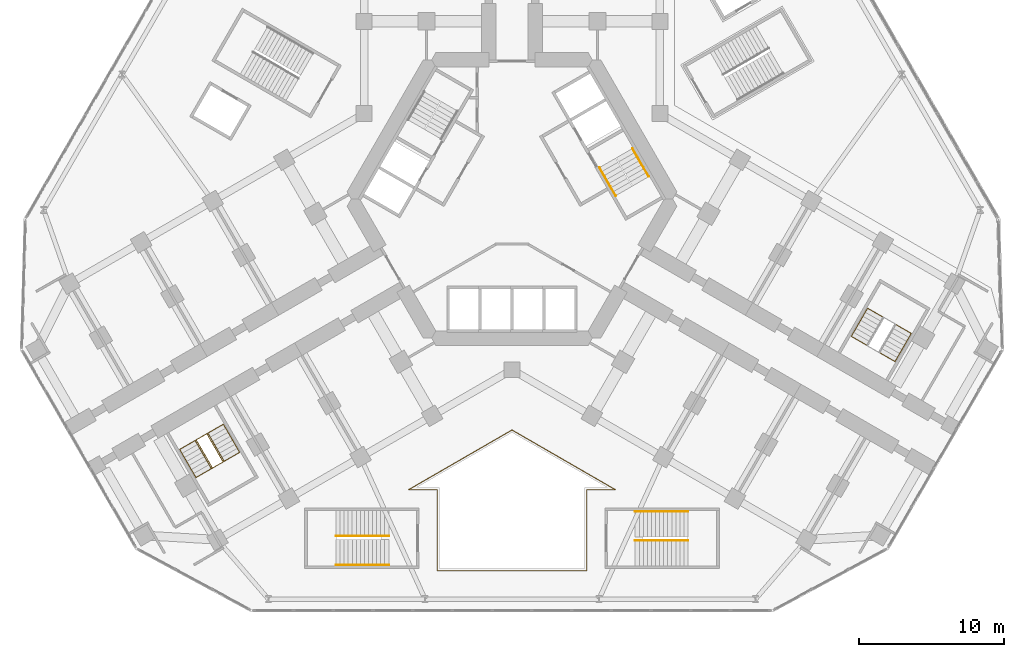
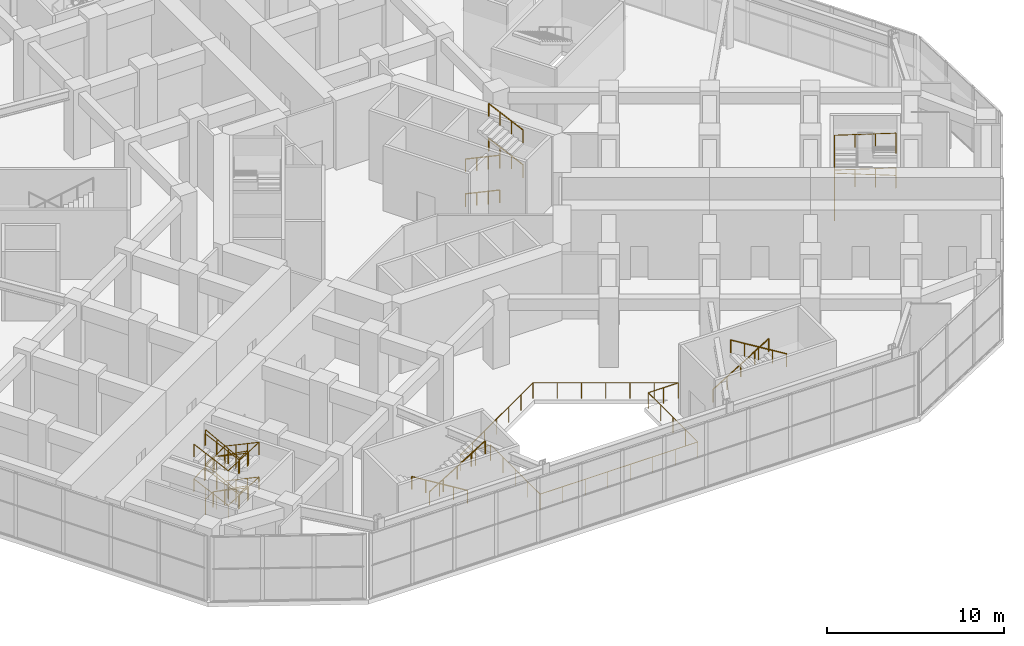
# One storey, part 20 of 21: 13 railings.
"""IFC4 building model written with IfcOpenShell, lengths in metres."""

from ifc_helpers import new_model, si_unit, direction, frame, origin, origin_2d, place, context, subcontext, project, spatial, circle, extrude, material, type_object, element, save


model = new_model("IFC4")

# Units and contexts
model_context = context("Model", 3, precision=1e-05, world=origin(), true_north=direction((0.0, 1.0)))
body_context = subcontext(model_context, "Body", "Model", "MODEL_VIEW")
ifc_project = project(units=[si_unit("LENGTHUNIT", "METRE"), si_unit("AREAUNIT", "SQUARE_METRE"), si_unit("VOLUMEUNIT", "CUBIC_METRE"), si_unit("PLANEANGLEUNIT", "RADIAN"), si_unit("MASSUNIT", "GRAM", prefix="KILO")], contexts=[model_context])

# Site, building, storey
site_placement = place(None, origin())
site = spatial("IfcSite", under=ifc_project, at=site_placement, CompositionType="ELEMENT")
building_placement = place(site_placement, origin())
building = spatial("IfcBuilding", under=site, at=building_placement, Name="Kosmar Iwan School Tower", CompositionType="ELEMENT")
storey_placement = place(building_placement, frame((0.0, 0.0, 6.0)))
storey = spatial("IfcBuildingStorey", under=building, at=storey_placement, Name="L01", CompositionType="ELEMENT", Elevation=6.0)

# Railings
ifc_material_1 = material(Name="Black steel and laminated glass", Category="steel")
railing_type_1 = type_object("IfcRailingType", Name="Atrium balustrade 1100", PredefinedType="BALUSTRADE", material=ifc_material_1)
railing_1_placement = place(storey_placement, frame((-5.14990234375, -25.64990234375, 0.0)))
element("IfcRailing", 1, at=railing_1_placement, inside=storey, type_object=railing_type_1, Name="Atrium balustrade L01", PredefinedType="BALUSTRADE", context=body_context, shape_type="SweptSolid", body=[
    extrude(circle(Radius=0.02392578125, at=origin_2d()), frame((0.0, 0.0, 1.076171875), z_axis=(1.0, 0.0, 0.0), x_axis=(0.0, 1.0, 0.0)), (0.0, 0.0, 1.0), 10.2998046875),
    extrude(circle(Radius=0.02392578125, at=origin_2d()), frame((10.2998046875, 0.0, 1.076171875), z_axis=(0.0, 1.0, 0.0), x_axis=(-1.0, 0.0, 0.0)), (0.0, 0.0, 1.0), 5.599853515625),
    extrude(circle(Radius=0.02392578125, at=origin_2d()), frame((10.2998046875, 5.599853515625, 1.076171875), z_axis=(1.0, 0.0, 0.0), x_axis=(0.0, 1.0, 0.0)), (0.0, 0.0, 1.0), 1.977783203125),
    extrude(circle(Radius=0.02392578125, at=origin_2d()), frame((12.277587890625, 5.599853515625, 1.076171875), z_axis=(-0.86602207841, 0.500005759674, 0.0), x_axis=(-0.500005759674, -0.86602207841, 0.0)), (0.0, 0.0, 1.0), 8.23046875),
    extrude(circle(Radius=0.02392578125, at=origin_2d()), frame((5.14990234375, 9.715087890625, 1.076171875), z_axis=(-0.86602207841, -0.500005759674, 0.0), x_axis=(0.500005759674, -0.86602207841, 0.0)), (0.0, 0.0, 1.0), 8.23046875),
    extrude(circle(Radius=0.02392578125, at=origin_2d()), frame((-1.977783203125, 5.599853515625, 1.076171875), z_axis=(1.0, 0.0, 0.0), x_axis=(0.0, 1.0, 0.0)), (0.0, 0.0, 1.0), 1.977783203125),
    extrude(circle(Radius=0.02392578125, at=origin_2d()), frame((0.0, 5.599853515625, 1.076171875), z_axis=(0.0, -1.0, 0.0), x_axis=(1.0, 0.0, 0.0)), (0.0, 0.0, 1.0), 5.599853515625),
    extrude(circle(Radius=0.02099609375, at=origin_2d()), origin(), (0.0, 0.0, 1.0), 1.052001953125),
    extrude(circle(Radius=0.02099609375, at=origin_2d()), frame((1.471435546875, 0.0, 0.0)), (0.0, 0.0, 1.0), 1.052001953125),
    extrude(circle(Radius=0.02099609375, at=origin_2d()), frame((2.94287109375, 0.0, 0.0)), (0.0, 0.0, 1.0), 1.052001953125),
    extrude(circle(Radius=0.02099609375, at=origin_2d()), frame((4.414306640625, 0.0, 0.0)), (0.0, 0.0, 1.0), 1.052001953125),
    extrude(circle(Radius=0.02099609375, at=origin_2d()), frame((5.885498046875, 0.0, 0.0)), (0.0, 0.0, 1.0), 1.052001953125),
    extrude(circle(Radius=0.02099609375, at=origin_2d()), frame((7.35693359375, 0.0, 0.0)), (0.0, 0.0, 1.0), 1.052001953125),
    extrude(circle(Radius=0.02099609375, at=origin_2d()), frame((8.828369140625, 0.0, 0.0)), (0.0, 0.0, 1.0), 1.052001953125),
    extrude(circle(Radius=0.02099609375, at=origin_2d()), frame((10.2998046875, 0.0, 0.0)), (0.0, 0.0, 1.0), 1.052001953125),
    extrude(circle(Radius=0.02099609375, at=origin_2d()), frame((10.2998046875, 1.39990234375, 0.0)), (0.0, 0.0, 1.0), 1.052001953125),
    extrude(circle(Radius=0.02099609375, at=origin_2d()), frame((10.2998046875, 2.7998046875, 0.0)), (0.0, 0.0, 1.0), 1.052001953125),
    extrude(circle(Radius=0.02099609375, at=origin_2d()), frame((10.2998046875, 4.199951171875, 0.0)), (0.0, 0.0, 1.0), 1.052001953125),
    extrude(circle(Radius=0.02099609375, at=origin_2d()), frame((10.2998046875, 5.599853515625, 0.0)), (0.0, 0.0, 1.0), 1.052001953125),
    extrude(circle(Radius=0.02099609375, at=origin_2d()), frame((11.28857421875, 5.599853515625, 0.0)), (0.0, 0.0, 1.0), 1.052001953125),
    extrude(circle(Radius=0.02099609375, at=origin_2d()), frame((12.277587890625, 5.599853515625, 0.0)), (0.0, 0.0, 1.0), 1.052001953125),
    extrude(circle(Radius=0.02099609375, at=origin_2d()), frame((11.089599609375, 6.28564453125, 0.0)), (0.0, 0.0, 1.0), 1.052001953125),
    extrude(circle(Radius=0.02099609375, at=origin_2d()), frame((9.901611328125, 6.9716796875, 0.0)), (0.0, 0.0, 1.0), 1.052001953125),
    extrude(circle(Radius=0.02099609375, at=origin_2d()), frame((8.7138671875, 7.657470703125, 0.0)), (0.0, 0.0, 1.0), 1.052001953125),
    extrude(circle(Radius=0.02099609375, at=origin_2d()), frame((7.52587890625, 8.34326171875, 0.0)), (0.0, 0.0, 1.0), 1.052001953125),
    extrude(circle(Radius=0.02099609375, at=origin_2d()), frame((6.337890625, 9.029296875, 0.0)), (0.0, 0.0, 1.0), 1.052001953125),
    extrude(circle(Radius=0.02099609375, at=origin_2d()), frame((5.14990234375, 9.715087890625, 0.0)), (0.0, 0.0, 1.0), 1.052001953125),
    extrude(circle(Radius=0.02099609375, at=origin_2d()), frame((3.9619140625, 9.029296875, 0.0)), (0.0, 0.0, 1.0), 1.052001953125),
    extrude(circle(Radius=0.02099609375, at=origin_2d()), frame((2.77392578125, 8.34326171875, 0.0)), (0.0, 0.0, 1.0), 1.052001953125),
    extrude(circle(Radius=0.02099609375, at=origin_2d()), frame((1.5859375, 7.657470703125, 0.0)), (0.0, 0.0, 1.0), 1.052001953125),
    extrude(circle(Radius=0.02099609375, at=origin_2d()), frame((0.398193359375, 6.9716796875, 0.0)), (0.0, 0.0, 1.0), 1.052001953125),
    extrude(circle(Radius=0.02099609375, at=origin_2d()), frame((-0.789794921875, 6.28564453125, 0.0)), (0.0, 0.0, 1.0), 1.052001953125),
    extrude(circle(Radius=0.02099609375, at=origin_2d()), frame((-1.977783203125, 5.599853515625, 0.0)), (0.0, 0.0, 1.0), 1.052001953125),
    extrude(circle(Radius=0.02099609375, at=origin_2d()), frame((-0.98876953125, 5.599853515625, 0.0)), (0.0, 0.0, 1.0), 1.052001953125),
    extrude(circle(Radius=0.02099609375, at=origin_2d()), frame((0.0, 5.599853515625, 0.0)), (0.0, 0.0, 1.0), 1.052001953125),
    extrude(circle(Radius=0.02099609375, at=origin_2d()), frame((0.0, 4.199951171875, 0.0)), (0.0, 0.0, 1.0), 1.052001953125),
    extrude(circle(Radius=0.02099609375, at=origin_2d()), frame((0.0, 2.7998046875, 0.0)), (0.0, 0.0, 1.0), 1.052001953125),
    extrude(circle(Radius=0.02099609375, at=origin_2d()), frame((0.0, 1.39990234375, 0.0)), (0.0, 0.0, 1.0), 1.052001953125),
])
ifc_material_2 = material(Name="Black steel", Category="steel")
railing_type_2 = type_object("IfcRailingType", Name="Stair handrail 900", PredefinedType="HANDRAIL", material=ifc_material_2)
railing_2_placement = place(storey_placement, frame((6.03466796875, 2.167724609375, 0.14990234375)))
element("IfcRailing", 2, at=railing_2_placement, inside=storey, type_object=railing_type_2, Name="Handrail ST1 flight 1", PredefinedType="HANDRAIL", context=body_context, shape_type="SweptSolid", body=[
    extrude(circle(Radius=0.02392578125, at=origin_2d()), frame((0.0, 0.0, 0.8759765625), z_axis=(0.45267848932, -0.784169015945, 0.424453931233), x_axis=(0.866054910533, 0.49994888933, 0.0)), (0.0, 0.0, 1.0), 2.473876953125),
    extrude(circle(Radius=0.02099609375, at=origin_2d()), origin(), (0.0, 0.0, 1.0), 0.851806640625),
    extrude(circle(Radius=0.02099609375, at=origin_2d()), frame((0.373291015625, -0.646728515625, 0.35009765625)), (0.0, 0.0, 1.0), 0.851806640625),
    extrude(circle(Radius=0.02099609375, at=origin_2d()), frame((0.74658203125, -1.293212890625, 0.699951171875)), (0.0, 0.0, 1.0), 0.851806640625),
    extrude(circle(Radius=0.02099609375, at=origin_2d()), frame((1.119873046875, -1.93994140625, 1.050048828125)), (0.0, 0.0, 1.0), 0.851806640625),
])
railing_3_placement = place(storey_placement, frame((9.432373046875, 1.542724609375, 1.35009765625)))
element("IfcRailing", 3, at=railing_3_placement, inside=storey, type_object=railing_type_2, Name="Handrail ST1 flight 2", PredefinedType="HANDRAIL", context=body_context, shape_type="SweptSolid", body=[
    extrude(circle(Radius=0.02392578125, at=origin_2d()), frame((0.0, 0.0, 0.8759765625), z_axis=(-0.452775911014, 0.784166824089, 0.424354057838), x_axis=(-0.866007717299, -0.500030632641, 0.0)), (0.0, 0.0, 1.0), 2.473876953125),
    extrude(circle(Radius=0.02099609375, at=origin_2d()), origin(), (0.0, 0.0, 1.0), 0.851806640625),
    extrude(circle(Radius=0.02099609375, at=origin_2d()), frame((-0.373291015625, 0.646728515625, 0.349853515625)), (0.0, 0.0, 1.0), 0.851806640625),
    extrude(circle(Radius=0.02099609375, at=origin_2d()), frame((-0.746826171875, 1.293212890625, 0.699951171875)), (0.0, 0.0, 1.0), 0.851806640625),
    extrude(circle(Radius=0.02099609375, at=origin_2d()), frame((-1.1201171875, 1.93994140625, 1.0498046875)), (0.0, 0.0, 1.0), 0.851806640625),
])
railing_4_placement = place(storey_placement, frame((6.03466796875, 2.167724609375, 2.550048828125)))
element("IfcRailing", 4, at=railing_4_placement, inside=storey, type_object=railing_type_2, Name="Handrail ST1 flight 3", PredefinedType="HANDRAIL", context=body_context, shape_type="SweptSolid", body=[
    extrude(circle(Radius=0.02392578125, at=origin_2d()), frame((0.0, 0.0, 0.8759765625), z_axis=(0.45267848932, -0.784169015945, 0.424453931233), x_axis=(0.866054910533, 0.49994888933, 0.0)), (0.0, 0.0, 1.0), 2.473876953125),
    extrude(circle(Radius=0.02099609375, at=origin_2d()), origin(), (0.0, 0.0, 1.0), 0.851806640625),
    extrude(circle(Radius=0.02099609375, at=origin_2d()), frame((0.373291015625, -0.646728515625, 0.35009765625)), (0.0, 0.0, 1.0), 0.851806640625),
    extrude(circle(Radius=0.02099609375, at=origin_2d()), frame((0.74658203125, -1.293212890625, 0.699951171875)), (0.0, 0.0, 1.0), 0.851806640625),
    extrude(circle(Radius=0.02099609375, at=origin_2d()), frame((1.119873046875, -1.93994140625, 1.050048828125)), (0.0, 0.0, 1.0), 0.851806640625),
])
railing_5_placement = place(storey_placement, frame((9.432373046875, 1.542724609375, 3.75)))
element("IfcRailing", 5, at=railing_5_placement, inside=storey, type_object=railing_type_2, Name="Handrail ST1 flight 4", PredefinedType="HANDRAIL", context=body_context, shape_type="SweptSolid", body=[
    extrude(circle(Radius=0.02392578125, at=origin_2d()), frame((0.0, 0.0, 0.8759765625), z_axis=(-0.452756948549, 0.784133982819, 0.424434968551), x_axis=(-0.866007717299, -0.500030632641, 0.0)), (0.0, 0.0, 1.0), 2.473876953125),
    extrude(circle(Radius=0.02099609375, at=origin_2d()), origin(), (0.0, 0.0, 1.0), 0.851806640625),
    extrude(circle(Radius=0.02099609375, at=origin_2d()), frame((-0.373291015625, 0.646728515625, 0.35009765625)), (0.0, 0.0, 1.0), 0.851806640625),
    extrude(circle(Radius=0.02099609375, at=origin_2d()), frame((-0.746826171875, 1.293212890625, 0.699951171875)), (0.0, 0.0, 1.0), 0.851806640625),
    extrude(circle(Radius=0.02099609375, at=origin_2d()), frame((-1.1201171875, 1.93994140625, 1.050048828125)), (0.0, 0.0, 1.0), 0.851806640625),
])
railing_6_placement = place(storey_placement, frame((-19.9091796875, -15.5361328125, 0.14990234375)))
element("IfcRailing", 6, at=railing_6_placement, inside=storey, type_object=railing_type_2, Name="Handrail stair WS2 L01 wall side", PredefinedType="HANDRAIL", context=body_context, shape_type="SweptSolid", body=[
    extrude(circle(Radius=0.02392578125, at=origin_2d()), frame((0.0, 0.0, 0.8759765625), z_axis=(0.45267848932, -0.784169015945, 0.424453931233), x_axis=(0.866054910533, 0.49994888933, 0.0)), (0.0, 0.0, 1.0), 2.473876953125),
    extrude(circle(Radius=0.02392578125, at=origin_2d()), frame((1.119873046875, -1.93994140625, 1.92578125), z_axis=(-0.865214702673, -0.499545138201, 0.043106532902), x_axis=(0.500009906705, -0.86601968407, 0.0)), (0.0, 0.0, 1.0), 3.483154296875),
    extrude(circle(Radius=0.02392578125, at=origin_2d()), frame((-1.893798828125, -3.679931640625, 2.076171875), z_axis=(-0.452775911014, 0.784166824089, 0.424354057838), x_axis=(-0.866007717299, -0.500030632641, 0.0)), (0.0, 0.0, 1.0), 2.473876953125),
    extrude(circle(Radius=0.02392578125, at=origin_2d()), frame((-3.013916015625, -1.739990234375, 3.1259765625), z_axis=(0.865232322426, 0.499514845033, 0.043103918857), x_axis=(-0.499979528911, 0.866037222451, 0.0)), (0.0, 0.0, 1.0), 3.4833984375),
    extrude(circle(Radius=0.02392578125, at=origin_2d()), frame((0.0, 0.0, 3.27587890625), z_axis=(0.45267848932, -0.784169015945, 0.424453931233), x_axis=(0.866054910533, 0.49994888933, 0.0)), (0.0, 0.0, 1.0), 2.473876953125),
    extrude(circle(Radius=0.02392578125, at=origin_2d()), frame((1.119873046875, -1.93994140625, 4.326171875), z_axis=(-0.865217314736, -0.499546646316, 0.043036570905), x_axis=(0.500009906705, -0.86601968407, 0.0)), (0.0, 0.0, 1.0), 3.483154296875),
    extrude(circle(Radius=0.02392578125, at=origin_2d()), frame((-1.893798828125, -3.679931640625, 4.47607421875), z_axis=(-0.452756948549, 0.784133982819, 0.424434968551), x_axis=(-0.866007717299, -0.500030632641, 0.0)), (0.0, 0.0, 1.0), 2.473876953125),
    extrude(circle(Radius=0.02099609375, at=origin_2d()), origin(), (0.0, 0.0, 1.0), 0.851806640625),
    extrude(circle(Radius=0.02099609375, at=origin_2d()), frame((0.373291015625, -0.646728515625, 0.35009765625)), (0.0, 0.0, 1.0), 0.851806640625),
    extrude(circle(Radius=0.02099609375, at=origin_2d()), frame((0.74658203125, -1.293212890625, 0.699951171875)), (0.0, 0.0, 1.0), 0.851806640625),
    extrude(circle(Radius=0.02099609375, at=origin_2d()), frame((1.119873046875, -1.93994140625, 1.050048828125)), (0.0, 0.0, 1.0), 0.851806640625),
    extrude(circle(Radius=0.02099609375, at=origin_2d()), frame((0.115234375, -2.52001953125, 1.10009765625)), (0.0, 0.0, 1.0), 0.851806640625),
    extrude(circle(Radius=0.02099609375, at=origin_2d()), frame((-0.88916015625, -3.099853515625, 1.150146484375)), (0.0, 0.0, 1.0), 0.851806640625),
    extrude(circle(Radius=0.02099609375, at=origin_2d()), frame((-1.893798828125, -3.679931640625, 1.2001953125)), (0.0, 0.0, 1.0), 0.851806640625),
    extrude(circle(Radius=0.02099609375, at=origin_2d()), frame((-2.26708984375, -3.033203125, 1.550048828125)), (0.0, 0.0, 1.0), 0.851806640625),
    extrude(circle(Radius=0.02099609375, at=origin_2d()), frame((-2.640625, -2.38671875, 1.900146484375)), (0.0, 0.0, 1.0), 0.851806640625),
    extrude(circle(Radius=0.02099609375, at=origin_2d()), frame((-3.013916015625, -1.739990234375, 2.25)), (0.0, 0.0, 1.0), 0.851806640625),
    extrude(circle(Radius=0.02099609375, at=origin_2d()), frame((-2.00927734375, -1.159912109375, 2.300048828125)), (0.0, 0.0, 1.0), 0.851806640625),
    extrude(circle(Radius=0.02099609375, at=origin_2d()), frame((-1.004638671875, -0.580078125, 2.35009765625)), (0.0, 0.0, 1.0), 0.851806640625),
    extrude(circle(Radius=0.02099609375, at=origin_2d()), frame((0.0, 0.0, 2.400146484375)), (0.0, 0.0, 1.0), 0.851806640625),
    extrude(circle(Radius=0.02099609375, at=origin_2d()), frame((0.373291015625, -0.646728515625, 2.750244140625)), (0.0, 0.0, 1.0), 0.851806640625),
    extrude(circle(Radius=0.02099609375, at=origin_2d()), frame((0.74658203125, -1.293212890625, 3.10009765625)), (0.0, 0.0, 1.0), 0.851806640625),
    extrude(circle(Radius=0.02099609375, at=origin_2d()), frame((1.119873046875, -1.93994140625, 3.4501953125)), (0.0, 0.0, 1.0), 0.851806640625),
    extrude(circle(Radius=0.02099609375, at=origin_2d()), frame((0.115234375, -2.52001953125, 3.500244140625)), (0.0, 0.0, 1.0), 0.851806640625),
    extrude(circle(Radius=0.02099609375, at=origin_2d()), frame((-0.88916015625, -3.099853515625, 3.550048828125)), (0.0, 0.0, 1.0), 0.851806640625),
    extrude(circle(Radius=0.02099609375, at=origin_2d()), frame((-1.893798828125, -3.679931640625, 3.60009765625)), (0.0, 0.0, 1.0), 0.851806640625),
    extrude(circle(Radius=0.02099609375, at=origin_2d()), frame((-2.26708984375, -3.033203125, 3.9501953125)), (0.0, 0.0, 1.0), 0.851806640625),
    extrude(circle(Radius=0.02099609375, at=origin_2d()), frame((-2.640625, -2.38671875, 4.300048828125)), (0.0, 0.0, 1.0), 0.851806640625),
    extrude(circle(Radius=0.02099609375, at=origin_2d()), frame((-3.013916015625, -1.739990234375, 4.650146484375)), (0.0, 0.0, 1.0), 0.851806640625),
])
railing_7_placement = place(storey_placement, frame((-20.974609375, -16.151123046875, 0.14990234375)))
element("IfcRailing", 7, at=railing_7_placement, inside=storey, type_object=railing_type_2, Name="Handrail stair WS2 L01 well side", PredefinedType="HANDRAIL", context=body_context, shape_type="SweptSolid", body=[
    extrude(circle(Radius=0.02392578125, at=origin_2d()), frame((0.0, 0.0, 0.8759765625), z_axis=(0.452756948549, -0.784133982819, 0.424434968551), x_axis=(0.866007717299, 0.500030632641, 0.0)), (0.0, 0.0, 1.0), 2.473876953125),
    extrude(circle(Radius=0.02392578125, at=origin_2d()), frame((1.1201171875, -1.93994140625, 1.92578125), z_axis=(-0.856776769057, -0.494695044378, 0.14563784217), x_axis=(0.500026340207, -0.866010195725, 0.0)), (0.0, 0.0, 1.0), 1.031005859375),
    extrude(circle(Radius=0.02392578125, at=origin_2d()), frame((0.23681640625, -2.449951171875, 2.076171875), z_axis=(-0.452775911014, 0.784166824089, 0.424354057838), x_axis=(-0.866007717299, -0.500030632641, 0.0)), (0.0, 0.0, 1.0), 2.473876953125),
    extrude(circle(Radius=0.02392578125, at=origin_2d()), frame((-0.88330078125, -0.510009765625, 3.1259765625), z_axis=(0.856776769057, 0.494695044378, 0.14563784217), x_axis=(-0.500026340207, 0.866010195725, 0.0)), (0.0, 0.0, 1.0), 1.031005859375),
    extrude(circle(Radius=0.02392578125, at=origin_2d()), frame((0.0, 0.0, 3.27587890625), z_axis=(0.452756948549, -0.784133982819, 0.424434968551), x_axis=(0.866007717299, 0.500030632641, 0.0)), (0.0, 0.0, 1.0), 2.473876953125),
    extrude(circle(Radius=0.02392578125, at=origin_2d()), frame((1.1201171875, -1.93994140625, 4.326171875), z_axis=(-0.856806295441, -0.494712092641, 0.145406043505), x_axis=(0.500026340207, -0.866010195725, 0.0)), (0.0, 0.0, 1.0), 1.031005859375),
    extrude(circle(Radius=0.02392578125, at=origin_2d()), frame((0.23681640625, -2.449951171875, 4.47607421875), z_axis=(-0.452756948549, 0.784133982819, 0.424434968551), x_axis=(-0.866007717299, -0.500030632641, 0.0)), (0.0, 0.0, 1.0), 2.473876953125),
    extrude(circle(Radius=0.02099609375, at=origin_2d()), origin(), (0.0, 0.0, 1.0), 0.851806640625),
    extrude(circle(Radius=0.02099609375, at=origin_2d()), frame((0.373291015625, -0.646728515625, 0.35009765625)), (0.0, 0.0, 1.0), 0.851806640625),
    extrude(circle(Radius=0.02099609375, at=origin_2d()), frame((0.746826171875, -1.293212890625, 0.699951171875)), (0.0, 0.0, 1.0), 0.851806640625),
    extrude(circle(Radius=0.02099609375, at=origin_2d()), frame((1.1201171875, -1.93994140625, 1.050048828125)), (0.0, 0.0, 1.0), 0.851806640625),
    extrude(circle(Radius=0.02099609375, at=origin_2d()), frame((0.23681640625, -2.449951171875, 1.2001953125)), (0.0, 0.0, 1.0), 0.851806640625),
    extrude(circle(Radius=0.02099609375, at=origin_2d()), frame((-0.136474609375, -1.80322265625, 1.550048828125)), (0.0, 0.0, 1.0), 0.851806640625),
    extrude(circle(Radius=0.02099609375, at=origin_2d()), frame((-0.510009765625, -1.15673828125, 1.900146484375)), (0.0, 0.0, 1.0), 0.851806640625),
    extrude(circle(Radius=0.02099609375, at=origin_2d()), frame((-0.88330078125, -0.510009765625, 2.25)), (0.0, 0.0, 1.0), 0.851806640625),
    extrude(circle(Radius=0.02099609375, at=origin_2d()), frame((0.0, 0.0, 2.400146484375)), (0.0, 0.0, 1.0), 0.851806640625),
    extrude(circle(Radius=0.02099609375, at=origin_2d()), frame((0.373291015625, -0.646728515625, 2.750244140625)), (0.0, 0.0, 1.0), 0.851806640625),
    extrude(circle(Radius=0.02099609375, at=origin_2d()), frame((0.746826171875, -1.293212890625, 3.10009765625)), (0.0, 0.0, 1.0), 0.851806640625),
    extrude(circle(Radius=0.02099609375, at=origin_2d()), frame((1.1201171875, -1.93994140625, 3.4501953125)), (0.0, 0.0, 1.0), 0.851806640625),
    extrude(circle(Radius=0.02099609375, at=origin_2d()), frame((0.23681640625, -2.449951171875, 3.60009765625)), (0.0, 0.0, 1.0), 0.851806640625),
    extrude(circle(Radius=0.02099609375, at=origin_2d()), frame((-0.136474609375, -1.80322265625, 3.9501953125)), (0.0, 0.0, 1.0), 0.851806640625),
    extrude(circle(Radius=0.02099609375, at=origin_2d()), frame((-0.510009765625, -1.15673828125, 4.300048828125)), (0.0, 0.0, 1.0), 0.851806640625),
    extrude(circle(Radius=0.02099609375, at=origin_2d()), frame((-0.88330078125, -0.510009765625, 4.650146484375)), (0.0, 0.0, 1.0), 0.851806640625),
])
railing_8_placement = place(storey_placement, frame((23.4091796875, -9.473876953125, 0.14990234375)))
element("IfcRailing", 8, at=railing_8_placement, inside=storey, type_object=railing_type_2, Name="Handrail stair WS3 L01 wall side", PredefinedType="HANDRAIL", context=body_context, shape_type="SweptSolid", body=[
    extrude(circle(Radius=0.02392578125, at=origin_2d()), frame((0.0, 0.0, 0.8759765625), z_axis=(0.452756948549, 0.784133982819, 0.424434968551), x_axis=(-0.866007717299, 0.500030632641, 0.0)), (0.0, 0.0, 1.0), 2.473876953125),
    extrude(circle(Radius=0.02392578125, at=origin_2d()), frame((1.1201171875, 1.93994140625, 1.92578125), z_axis=(0.865214702673, -0.499545138201, 0.043106532902), x_axis=(0.500009906705, 0.86601968407, 0.0)), (0.0, 0.0, 1.0), 3.483154296875),
    extrude(circle(Radius=0.02392578125, at=origin_2d()), frame((4.1337890625, 0.199951171875, 2.076171875), z_axis=(-0.452697450193, -0.784201861617, 0.424373018494), x_axis=(0.866054910533, -0.49994888933, 0.0)), (0.0, 0.0, 1.0), 2.473876953125),
    extrude(circle(Radius=0.02392578125, at=origin_2d()), frame((3.013916015625, -1.739990234375, 3.1259765625), z_axis=(-0.865232322426, 0.499514845033, 0.043103918857), x_axis=(-0.499979528911, -0.866037222451, 0.0)), (0.0, 0.0, 1.0), 3.4833984375),
    extrude(circle(Radius=0.02392578125, at=origin_2d()), frame((0.0, 0.0, 3.27587890625), z_axis=(0.452756948549, 0.784133982819, 0.424434968551), x_axis=(-0.866007717299, 0.500030632641, 0.0)), (0.0, 0.0, 1.0), 2.473876953125),
    extrude(circle(Radius=0.02392578125, at=origin_2d()), frame((1.1201171875, 1.93994140625, 4.326171875), z_axis=(0.865217314736, -0.499546646316, 0.043036570905), x_axis=(0.500009906705, 0.86601968407, 0.0)), (0.0, 0.0, 1.0), 3.483154296875),
    extrude(circle(Radius=0.02392578125, at=origin_2d()), frame((4.1337890625, 0.199951171875, 4.47607421875), z_axis=(-0.45267848932, -0.784169015945, 0.424453931233), x_axis=(0.866054910533, -0.49994888933, 0.0)), (0.0, 0.0, 1.0), 2.473876953125),
    extrude(circle(Radius=0.02099609375, at=origin_2d()), origin(), (0.0, 0.0, 1.0), 0.851806640625),
    extrude(circle(Radius=0.02099609375, at=origin_2d()), frame((0.373291015625, 0.646728515625, 0.35009765625)), (0.0, 0.0, 1.0), 0.851806640625),
    extrude(circle(Radius=0.02099609375, at=origin_2d()), frame((0.746826171875, 1.293212890625, 0.699951171875)), (0.0, 0.0, 1.0), 0.851806640625),
    extrude(circle(Radius=0.02099609375, at=origin_2d()), frame((1.1201171875, 1.93994140625, 1.050048828125)), (0.0, 0.0, 1.0), 0.851806640625),
    extrude(circle(Radius=0.02099609375, at=origin_2d()), frame((2.124755859375, 1.35986328125, 1.10009765625)), (0.0, 0.0, 1.0), 0.851806640625),
    extrude(circle(Radius=0.02099609375, at=origin_2d()), frame((3.129150390625, 0.780029296875, 1.150146484375)), (0.0, 0.0, 1.0), 0.851806640625),
    extrude(circle(Radius=0.02099609375, at=origin_2d()), frame((4.1337890625, 0.199951171875, 1.2001953125)), (0.0, 0.0, 1.0), 0.851806640625),
    extrude(circle(Radius=0.02099609375, at=origin_2d()), frame((3.760498046875, -0.44677734375, 1.550048828125)), (0.0, 0.0, 1.0), 0.851806640625),
    extrude(circle(Radius=0.02099609375, at=origin_2d()), frame((3.38720703125, -1.09326171875, 1.900146484375)), (0.0, 0.0, 1.0), 0.851806640625),
    extrude(circle(Radius=0.02099609375, at=origin_2d()), frame((3.013916015625, -1.739990234375, 2.25)), (0.0, 0.0, 1.0), 0.851806640625),
    extrude(circle(Radius=0.02099609375, at=origin_2d()), frame((2.00927734375, -1.159912109375, 2.300048828125)), (0.0, 0.0, 1.0), 0.851806640625),
    extrude(circle(Radius=0.02099609375, at=origin_2d()), frame((1.004638671875, -0.580078125, 2.35009765625)), (0.0, 0.0, 1.0), 0.851806640625),
    extrude(circle(Radius=0.02099609375, at=origin_2d()), frame((0.0, 0.0, 2.400146484375)), (0.0, 0.0, 1.0), 0.851806640625),
    extrude(circle(Radius=0.02099609375, at=origin_2d()), frame((0.373291015625, 0.646728515625, 2.750244140625)), (0.0, 0.0, 1.0), 0.851806640625),
    extrude(circle(Radius=0.02099609375, at=origin_2d()), frame((0.746826171875, 1.293212890625, 3.10009765625)), (0.0, 0.0, 1.0), 0.851806640625),
    extrude(circle(Radius=0.02099609375, at=origin_2d()), frame((1.1201171875, 1.93994140625, 3.4501953125)), (0.0, 0.0, 1.0), 0.851806640625),
    extrude(circle(Radius=0.02099609375, at=origin_2d()), frame((2.124755859375, 1.35986328125, 3.500244140625)), (0.0, 0.0, 1.0), 0.851806640625),
    extrude(circle(Radius=0.02099609375, at=origin_2d()), frame((3.129150390625, 0.780029296875, 3.550048828125)), (0.0, 0.0, 1.0), 0.851806640625),
    extrude(circle(Radius=0.02099609375, at=origin_2d()), frame((4.1337890625, 0.199951171875, 3.60009765625)), (0.0, 0.0, 1.0), 0.851806640625),
    extrude(circle(Radius=0.02099609375, at=origin_2d()), frame((3.760498046875, -0.44677734375, 3.9501953125)), (0.0, 0.0, 1.0), 0.851806640625),
    extrude(circle(Radius=0.02099609375, at=origin_2d()), frame((3.38720703125, -1.09326171875, 4.300048828125)), (0.0, 0.0, 1.0), 0.851806640625),
    extrude(circle(Radius=0.02099609375, at=origin_2d()), frame((3.013916015625, -1.739990234375, 4.650146484375)), (0.0, 0.0, 1.0), 0.851806640625),
])
railing_9_placement = place(storey_placement, frame((-8.5, -23.239990234375, 0.17138671875)))
element("IfcRailing", 9, at=railing_9_placement, inside=storey, type_object=railing_type_2, Name="Handrail SS1 flight 1", PredefinedType="HANDRAIL", context=body_context, shape_type="SweptSolid", body=[
    extrude(circle(Radius=0.02392578125, at=origin_2d()), frame((0.0, 0.0, 0.8759765625), z_axis=(-0.852850264322, 0.0, 0.5221555579), x_axis=(0.0, -1.0, 0.0)), (0.0, 0.0, 1.0), 4.267822265625),
    extrude(circle(Radius=0.02099609375, at=origin_2d()), origin(), (0.0, 0.0, 1.0), 0.851806640625),
    extrude(circle(Radius=0.02099609375, at=origin_2d()), frame((-0.909912109375, 0.0, 0.55712890625)), (0.0, 0.0, 1.0), 0.851806640625),
    extrude(circle(Radius=0.02099609375, at=origin_2d()), frame((-1.81982421875, 0.0, 1.1142578125)), (0.0, 0.0, 1.0), 0.851806640625),
    extrude(circle(Radius=0.02099609375, at=origin_2d()), frame((-2.72998046875, 0.0, 1.67138671875)), (0.0, 0.0, 1.0), 0.851806640625),
    extrude(circle(Radius=0.02099609375, at=origin_2d()), frame((-3.639892578125, 0.0, 2.228515625)), (0.0, 0.0, 1.0), 0.851806640625),
])
for number, where, name in (
    (10, (-12.139892578125, -25.239990234375, 2.571533203125), "Handrail SS1 flight 2"),
    (11, (8.5, -21.56005859375, 0.17138671875), "Handrail SS2 flight 1"),
):
    element("IfcRailing", number, at=place(storey_placement, frame(where)), inside=storey, type_object=railing_type_2, Name=name, PredefinedType="HANDRAIL", context=body_context, shape_type="SweptSolid", body=[
        extrude(circle(Radius=0.02392578125, at=origin_2d()), frame((0.0, 0.0, 0.8759765625), z_axis=(0.852850264322, 0.0, 0.5221555579), x_axis=(0.0, 1.0, 0.0)), (0.0, 0.0, 1.0), 4.267822265625),
        extrude(circle(Radius=0.02099609375, at=origin_2d()), origin(), (0.0, 0.0, 1.0), 0.851806640625),
        extrude(circle(Radius=0.02099609375, at=origin_2d()), frame((0.909912109375, 0.0, 0.55712890625)), (0.0, 0.0, 1.0), 0.851806640625),
        extrude(circle(Radius=0.02099609375, at=origin_2d()), frame((1.81982421875, 0.0, 1.1142578125)), (0.0, 0.0, 1.0), 0.851806640625),
        extrude(circle(Radius=0.02099609375, at=origin_2d()), frame((2.72998046875, 0.0, 1.67138671875)), (0.0, 0.0, 1.0), 0.851806640625),
        extrude(circle(Radius=0.02099609375, at=origin_2d()), frame((3.639892578125, 0.0, 2.228515625)), (0.0, 0.0, 1.0), 0.851806640625),
    ])
railing_10_placement = place(storey_placement, frame((12.139892578125, -23.56005859375, 2.571533203125)))
element("IfcRailing", 12, at=railing_10_placement, inside=storey, type_object=railing_type_2, Name="Handrail SS2 flight 2", PredefinedType="HANDRAIL", context=body_context, shape_type="SweptSolid", body=[
    extrude(circle(Radius=0.02392578125, at=origin_2d()), frame((0.0, 0.0, 0.8759765625), z_axis=(-0.852850264322, 0.0, 0.5221555579), x_axis=(0.0, -1.0, 0.0)), (0.0, 0.0, 1.0), 4.267822265625),
    extrude(circle(Radius=0.02099609375, at=origin_2d()), origin(), (0.0, 0.0, 1.0), 0.851806640625),
    extrude(circle(Radius=0.02099609375, at=origin_2d()), frame((-0.909912109375, 0.0, 0.55712890625)), (0.0, 0.0, 1.0), 0.851806640625),
    extrude(circle(Radius=0.02099609375, at=origin_2d()), frame((-1.81982421875, 0.0, 1.1142578125)), (0.0, 0.0, 1.0), 0.851806640625),
    extrude(circle(Radius=0.02099609375, at=origin_2d()), frame((-2.72998046875, 0.0, 1.67138671875)), (0.0, 0.0, 1.0), 0.851806640625),
    extrude(circle(Radius=0.02099609375, at=origin_2d()), frame((-3.639892578125, 0.0, 2.228515625)), (0.0, 0.0, 1.0), 0.851806640625),
])
ifc_material_3 = material(Name="Black steel", Category="steel")
railing_type_3 = type_object("IfcRailingType", Name="Stair well guard 1100", PredefinedType="GUARDRAIL", material=ifc_material_3)
railing_11_placement = place(storey_placement, frame((-21.780029296875, -16.6162109375, 0.0)))
element("IfcRailing", 13, at=railing_11_placement, inside=storey, type_object=railing_type_3, Name="Stair WS2 L01 well guard", PredefinedType="GUARDRAIL", context=body_context, shape_type="SweptSolid", body=[
    extrude(circle(Radius=0.02392578125, at=origin_2d()), frame((0.0, 0.0, 1.076171875), z_axis=(0.865962960534, 0.500108139288, 0.0), x_axis=(-0.500108139288, 0.865962960534, 0.0)), (0.0, 0.0, 1.0), 0.840087890625),
    extrude(circle(Radius=0.02392578125, at=origin_2d()), frame((0.7275390625, 0.420166015625, 1.076171875), z_axis=(0.440775248085, -0.763382764011, 0.472190572), x_axis=(0.866007717299, 0.500030632641, 0.0)), (0.0, 0.0, 1.0), 2.541259765625),
    extrude(circle(Radius=0.02392578125, at=origin_2d()), frame((1.84765625, -1.519775390625, 2.27587890625), z_axis=(-0.866088799389, -0.499890179513, 0.0), x_axis=(0.499890179513, -0.866088799389, 0.0)), (0.0, 0.0, 1.0), 0.840087890625),
    extrude(circle(Radius=0.02392578125, at=origin_2d()), frame((1.1201171875, -1.939697265625, 2.27587890625), z_axis=(-0.440807575709, 0.763342674152, 0.472225203707), x_axis=(-0.865980463445, -0.500077830873, 0.0)), (0.0, 0.0, 1.0), 2.541015625),
    extrude(circle(Radius=0.02392578125, at=origin_2d()), frame((0.0, 0.0, 3.47607421875), z_axis=(0.865962960534, 0.500108139288, 0.0), x_axis=(-0.500108139288, 0.865962960534, 0.0)), (0.0, 0.0, 1.0), 0.840087890625),
    extrude(circle(Radius=0.02392578125, at=origin_2d()), frame((0.7275390625, 0.420166015625, 3.47607421875), z_axis=(0.440755252094, -0.763348132769, 0.472265217807), x_axis=(0.866007717299, 0.500030632641, 0.0)), (0.0, 0.0, 1.0), 2.541259765625),
    extrude(circle(Radius=0.02392578125, at=origin_2d()), frame((1.84765625, -1.519775390625, 4.67626953125), z_axis=(-0.866088799389, -0.499890179513, 0.0), x_axis=(0.499890179513, -0.866088799389, 0.0)), (0.0, 0.0, 1.0), 0.840087890625),
    extrude(circle(Radius=0.02392578125, at=origin_2d()), frame((1.1201171875, -1.939697265625, 4.67626953125), z_axis=(-0.440807575709, 0.763342674152, 0.472225203707), x_axis=(-0.865980463445, -0.500077830873, 0.0)), (0.0, 0.0, 1.0), 2.541015625),
    extrude(circle(Radius=0.02099609375, at=origin_2d()), origin(), (0.0, 0.0, 1.0), 1.052001953125),
    extrude(circle(Radius=0.02099609375, at=origin_2d()), frame((0.7275390625, 0.420166015625, 0.0)), (0.0, 0.0, 1.0), 1.052001953125),
    extrude(circle(Radius=0.02099609375, at=origin_2d()), frame((1.100830078125, -0.2265625, 0.39990234375)), (0.0, 0.0, 1.0), 1.052001953125),
    extrude(circle(Radius=0.02099609375, at=origin_2d()), frame((1.474365234375, -0.873046875, 0.800048828125)), (0.0, 0.0, 1.0), 1.052001953125),
    extrude(circle(Radius=0.02099609375, at=origin_2d()), frame((1.84765625, -1.519775390625, 1.199951171875)), (0.0, 0.0, 1.0), 1.052001953125),
    extrude(circle(Radius=0.02099609375, at=origin_2d()), frame((1.1201171875, -1.939697265625, 1.199951171875)), (0.0, 0.0, 1.0), 1.052001953125),
    extrude(circle(Radius=0.02099609375, at=origin_2d()), frame((0.746826171875, -1.293212890625, 1.599853515625)), (0.0, 0.0, 1.0), 1.052001953125),
    extrude(circle(Radius=0.02099609375, at=origin_2d()), frame((0.373291015625, -0.646484375, 2.0)), (0.0, 0.0, 1.0), 1.052001953125),
    extrude(circle(Radius=0.02099609375, at=origin_2d()), frame((0.0, 0.0, 2.39990234375)), (0.0, 0.0, 1.0), 1.052001953125),
    extrude(circle(Radius=0.02099609375, at=origin_2d()), frame((0.7275390625, 0.420166015625, 2.39990234375)), (0.0, 0.0, 1.0), 1.052001953125),
    extrude(circle(Radius=0.02099609375, at=origin_2d()), frame((1.100830078125, -0.2265625, 2.800048828125)), (0.0, 0.0, 1.0), 1.052001953125),
    extrude(circle(Radius=0.02099609375, at=origin_2d()), frame((1.474365234375, -0.873046875, 3.199951171875)), (0.0, 0.0, 1.0), 1.052001953125),
    extrude(circle(Radius=0.02099609375, at=origin_2d()), frame((1.84765625, -1.519775390625, 3.60009765625)), (0.0, 0.0, 1.0), 1.052001953125),
    extrude(circle(Radius=0.02099609375, at=origin_2d()), frame((1.1201171875, -1.939697265625, 3.60009765625)), (0.0, 0.0, 1.0), 1.052001953125),
    extrude(circle(Radius=0.02099609375, at=origin_2d()), frame((0.746826171875, -1.293212890625, 4.0)), (0.0, 0.0, 1.0), 1.052001953125),
    extrude(circle(Radius=0.02099609375, at=origin_2d()), frame((0.373291015625, -0.646484375, 4.400146484375)), (0.0, 0.0, 1.0), 1.052001953125),
    extrude(circle(Radius=0.02099609375, at=origin_2d()), frame((0.0, 0.0, 4.800048828125)), (0.0, 0.0, 1.0), 1.052001953125),
])

save(model, "model.ifc")
